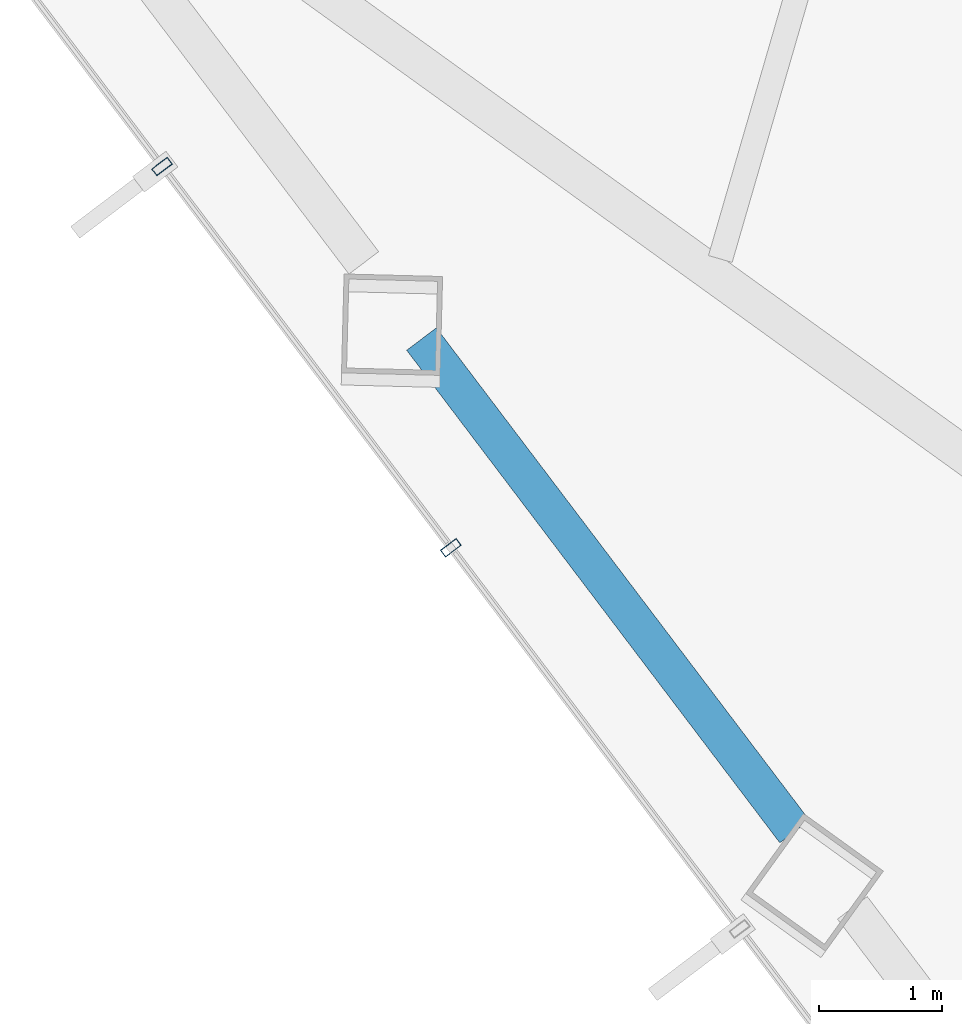
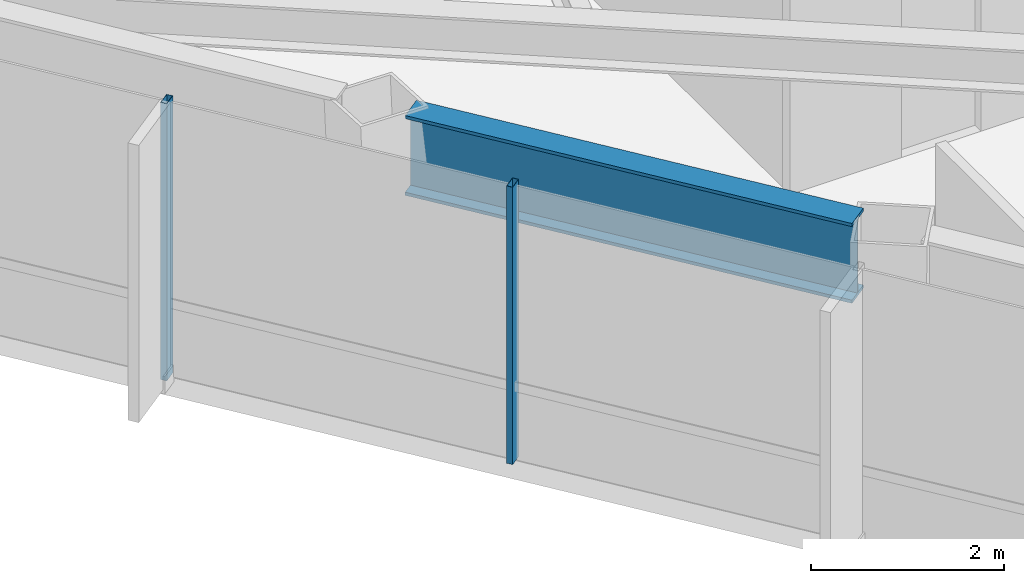
# One storey, part 4 of 30: 2 members, 1 beam, 1 element without a shape of its own.
"""IFC4 building model written with IfcOpenShell, lengths in metres."""

from ifc_helpers import new_model, si_unit, direction, frame, origin, origin_2d, place, context, subcontext, project, spatial, hollow_rectangle, i_section, extrude, material, layer, layer_set, material_profile, profile_set, type_object, element, aggregate, save


model = new_model("IFC4")

# Units and contexts
model_context = context("Model", 3, precision=1e-05, world=origin(), true_north=direction((0.0, 1.0)))
body_context = subcontext(model_context, "Body", "Model", "MODEL_VIEW")
ifc_project = project(units=[si_unit("LENGTHUNIT", "METRE"), si_unit("AREAUNIT", "SQUARE_METRE"), si_unit("VOLUMEUNIT", "CUBIC_METRE"), si_unit("PLANEANGLEUNIT", "RADIAN"), si_unit("MASSUNIT", "GRAM", prefix="KILO")], contexts=[model_context])

# Site, building, storey
site_placement = place(None, origin())
site = spatial("IfcSite", under=ifc_project, at=site_placement, CompositionType="ELEMENT")
building_placement = place(site_placement, origin())
building = spatial("IfcBuilding", under=site, at=building_placement, Name="Zarrinselat Tower", CompositionType="ELEMENT")
storey_placement = place(building_placement, frame((0.0, 0.0, 130.89990234375)))
storey = spatial("IfcBuildingStorey", under=building, at=storey_placement, Name="L31", CompositionType="ELEMENT", Elevation=130.89990234375)

# Beam
ifc_material_1 = material(Name="Steel S460M", Category="steel")
ifc_material_profile_1 = material_profile(ifc_material_1, i_section(OverallWidth=0.302001953125, OverallDepth=1.008056640625, WebThickness=0.02099609375, FlangeThickness=0.0400390625, at=origin_2d()), Name="HEM 1000")
ifc_profile_set_1 = profile_set([ifc_material_profile_1], Name="Steel S460M")
beam_type = type_object("IfcBeamType", Name="BM-HEM1000", PredefinedType="BEAM", material=ifc_profile_set_1)
beam_placement = place(storey_placement, frame((19.96923828125, 32.135009765625, 2.99609375), z_axis=(0.603848315912, -0.797099248131, 0.0), x_axis=(0.797099248131, 0.603848315912, 0.0)))
element("IfcBeam", 1, at=beam_placement, inside=storey, type_object=beam_type, Name="L31 Perimeter Spandrel Girder SP07", PredefinedType="BEAM", context=body_context, shape_type="SweptSolid", body=[
    extrude(i_section(OverallWidth=0.302001953125, OverallDepth=1.008056640625, WebThickness=0.02099609375, FlangeThickness=0.0400390625, at=origin_2d()), origin(), (0.0, 0.0, 1.0), 5.015380859375),
])

# Curtain wall, members
ifc_material_2 = material(Name="Extruded Aluminium Alloy EN AW-6063 T6", Category="aluminium")
ifc_layer = layer(ifc_material_2, 0.175048828125)
ifc_layer_set = layer_set([ifc_layer], Name="Extruded Aluminium Alloy EN AW-6063 T6")
curtain_wall_type = type_object("IfcCurtainWallType", Name="CWS-HTL", PredefinedType="NOTDEFINED", material=ifc_layer_set)
curtain_wall_placement = place(storey_placement, origin())
curtain_wall = element("IfcCurtainWall", 2, at=curtain_wall_placement, inside=storey, type_object=curtain_wall_type, Name="L31 Unitised Curtain Wall CW-L31-E03", PredefinedType="NOTDEFINED")
ifc_material_3 = material(Name="Extruded Aluminium Alloy EN AW-6063 T6", Category="aluminium")
ifc_material_profile_2 = material_profile(ifc_material_3, hollow_rectangle(XDim=0.070068359375, YDim=0.159912109375, WallThickness=0.00390625, at=origin_2d()), Name="RHS 160x70x4")
ifc_profile_set_2 = profile_set([ifc_material_profile_2], Name="Extruded Aluminium Alloy EN AW-6063 T6")
member_type = type_object("IfcMemberType", Name="MEM-CW-MUL2", PredefinedType="MULLION", material=ifc_profile_set_2)
member_1_placement = place(storey_placement, frame((17.86328125, 33.53515625, 0.0), z_axis=(0.0, 0.0, 1.0), x_axis=(0.603858349394, -0.797091647094, 0.0)))
member_1 = element("IfcMember", 3, at=member_1_placement, type_object=member_type, Name="CW-L31-E03 Mullion 1", PredefinedType="MULLION", context=body_context, shape_type="SweptSolid", body=[
    extrude(hollow_rectangle(XDim=0.070068359375, YDim=0.159912109375, WallThickness=0.00390625, at=origin_2d()), origin(), (0.0, 0.0, 1.0), 3.5),
])
member_2_placement = place(storey_placement, frame((20.20703125, 30.44140625, 0.0), z_axis=(0.0, 0.0, 1.0), x_axis=(0.603858349394, -0.797091647094, 0.0)))
member_2 = element("IfcMember", 4, at=member_2_placement, type_object=member_type, Name="CW-L31-E03 Mullion 2", PredefinedType="MULLION", context=body_context, shape_type="SweptSolid", body=[
    extrude(hollow_rectangle(XDim=0.070068359375, YDim=0.159912109375, WallThickness=0.00390625, at=origin_2d()), origin(), (0.0, 0.0, 1.0), 3.5),
])
aggregate(curtain_wall, [member_1, member_2])

save(model, "model.ifc")
